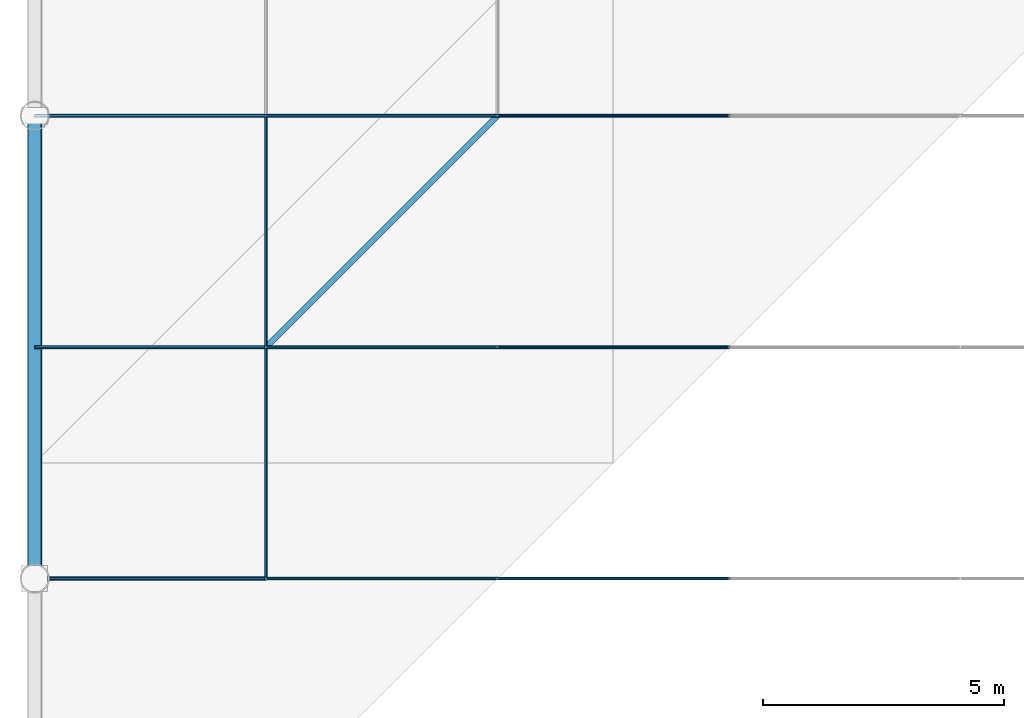
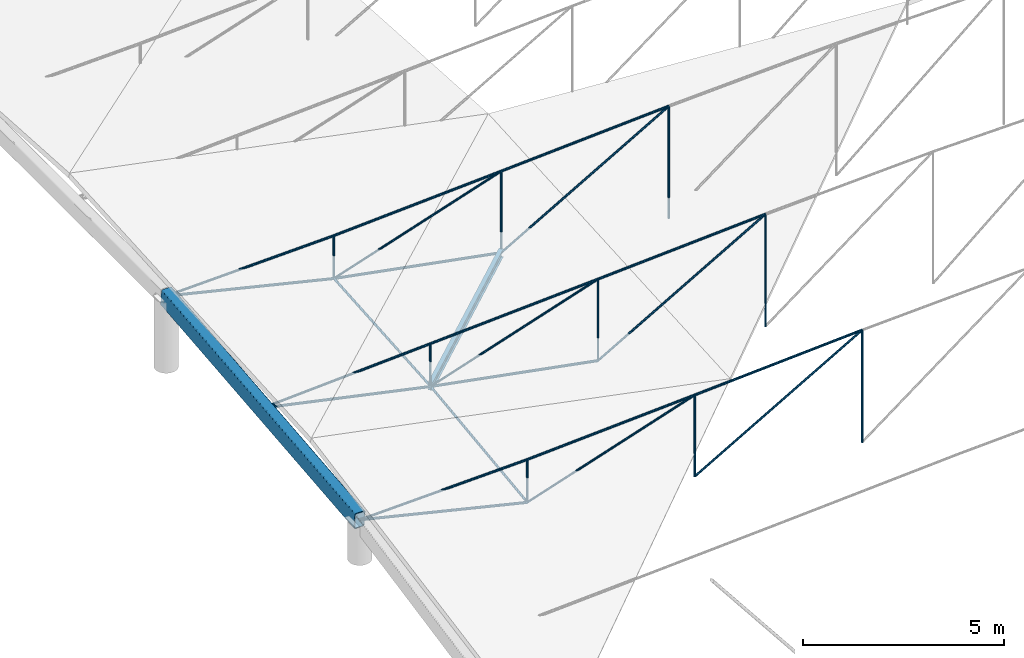
# One storey, part 15 of 50: 32 members, 1 beam.
"""IFC4 building model written with IfcOpenShell, lengths in metres."""

from ifc_helpers import new_model, si_unit, direction, frame, origin, origin_2d, place, context, subcontext, project, spatial, hollow_rectangle, circle, i_section, extrude, material, material_profile, profile_set, type_object, element, save


model = new_model("IFC4")

# Units and contexts
model_context = context("Model", 3, precision=1e-05, world=origin(), true_north=direction((0.0, 1.0)))
body_context = subcontext(model_context, "Body", "Model", "MODEL_VIEW")
ifc_project = project(units=[si_unit("LENGTHUNIT", "METRE"), si_unit("AREAUNIT", "SQUARE_METRE"), si_unit("VOLUMEUNIT", "CUBIC_METRE"), si_unit("PLANEANGLEUNIT", "RADIAN"), si_unit("MASSUNIT", "GRAM", prefix="KILO")], contexts=[model_context])

# Site, building, storey
site_placement = place(None, origin())
site = spatial("IfcSite", under=ifc_project, at=site_placement, CompositionType="ELEMENT")
building_placement = place(site_placement, origin())
building = spatial("IfcBuilding", under=site, at=building_placement, Name="Zevrakil Square Congress Hotel", CompositionType="ELEMENT")
storey_placement = place(building_placement, frame((0.0, 0.0, 21.5)))
storey = spatial("IfcBuildingStorey", under=building, at=storey_placement, Name="L06", CompositionType="ELEMENT", Elevation=21.5)

# Members
ifc_material_1 = material(Name="Steel S355", Category="steel")
ifc_material_profile_1 = material_profile(ifc_material_1, circle(Radius=0.030029296875, at=origin_2d()), Name="CABLE RD60")
ifc_profile_set_1 = profile_set([ifc_material_profile_1], Name="Steel S355")
member_type_1 = type_object("IfcMemberType", Name="MEM-CABLE-RD60", PredefinedType="USERDEFINED", material=ifc_profile_set_1)
member_1_placement = place(storey_placement, frame((122.39990234375, 74.39990234375, 0.01806640625), z_axis=(0.0, 0.0, 1.0), x_axis=(1.0, 0.0, 0.0)))
element("IfcMember", 1, at=member_1_placement, inside=storey, type_object=member_type_1, Name="Congress cable-truss vertical tie CBW-02-1", ObjectType="ROOF CABLE", PredefinedType="USERDEFINED", context=body_context, shape_type="SweptSolid", body=[
    extrude(circle(Radius=0.030029296875, at=origin_2d()), origin(), (0.0, 0.0, 1.0), 1.2978515625),
])
member_2_placement = place(storey_placement, frame((122.39990234375, 74.39990234375, 0.01806640625), z_axis=(0.95029004287, 0.0, 0.311366077828), x_axis=(0.0, 1.0, 0.0)))
element("IfcMember", 2, at=member_2_placement, inside=storey, type_object=member_type_1, Name="Congress cable-truss web diagonal CBD-02-2", ObjectType="ROOF CABLE", PredefinedType="USERDEFINED", context=body_context, shape_type="SweptSolid", body=[
    extrude(circle(Radius=0.030029296875, at=origin_2d()), origin(), (0.0, 0.0, 1.0), 5.051025390625),
])
member_3_placement = place(storey_placement, frame((127.199951171875, 74.39990234375, -0.8779296875), z_axis=(0.0, 0.0, 1.0), x_axis=(1.0, 0.0, 0.0)))
element("IfcMember", 3, at=member_3_placement, inside=storey, type_object=member_type_1, Name="Congress cable-truss vertical tie CBW-02-2", ObjectType="ROOF CABLE", PredefinedType="USERDEFINED", context=body_context, shape_type="SweptSolid", body=[
    extrude(circle(Radius=0.030029296875, at=origin_2d()), origin(), (0.0, 0.0, 1.0), 2.46875),
])
member_4_placement = place(storey_placement, frame((127.199951171875, 74.39990234375, -0.8779296875), z_axis=(0.867079197454, 0.0, 0.498170317605), x_axis=(0.0, 1.0, 0.0)))
element("IfcMember", 4, at=member_4_placement, inside=storey, type_object=member_type_1, Name="Congress cable-truss web diagonal CBD-02-3", ObjectType="ROOF CABLE", PredefinedType="USERDEFINED", context=body_context, shape_type="SweptSolid", body=[
    extrude(circle(Radius=0.030029296875, at=origin_2d()), origin(), (0.0, 0.0, 1.0), 5.535888671875),
])
member_5_placement = place(storey_placement, frame((132.0, 74.39990234375, -1.51806640625), z_axis=(0.0, 0.0, 1.0), x_axis=(1.0, 0.0, 0.0)))
element("IfcMember", 5, at=member_5_placement, inside=storey, type_object=member_type_1, Name="Congress cable-truss vertical tie CBW-02-3", ObjectType="ROOF CABLE", PredefinedType="USERDEFINED", context=body_context, shape_type="SweptSolid", body=[
    extrude(circle(Radius=0.030029296875, at=origin_2d()), origin(), (0.0, 0.0, 1.0), 3.39794921875),
])
member_6_placement = place(storey_placement, frame((122.39990234375, 79.199951171875, 0.617919921875), z_axis=(0.0, 0.0, 1.0), x_axis=(1.0, 0.0, 0.0)))
element("IfcMember", 6, at=member_6_placement, inside=storey, type_object=member_type_1, Name="Congress cable-truss vertical tie CBW-03-1", ObjectType="ROOF CABLE", PredefinedType="USERDEFINED", context=body_context, shape_type="SweptSolid", body=[
    extrude(circle(Radius=0.030029296875, at=origin_2d()), origin(), (0.0, 0.0, 1.0), 1.298095703125),
])
member_7_placement = place(storey_placement, frame((122.39990234375, 79.199951171875, 0.617919921875), z_axis=(0.95029004287, 0.0, 0.311366077828), x_axis=(0.0, 1.0, 0.0)))
element("IfcMember", 7, at=member_7_placement, inside=storey, type_object=member_type_1, Name="Congress cable-truss web diagonal CBD-03-2", ObjectType="ROOF CABLE", PredefinedType="USERDEFINED", context=body_context, shape_type="SweptSolid", body=[
    extrude(circle(Radius=0.030029296875, at=origin_2d()), origin(), (0.0, 0.0, 1.0), 5.051025390625),
])
member_8_placement = place(storey_placement, frame((127.199951171875, 79.199951171875, -0.278076171875), z_axis=(0.0, 0.0, 1.0), x_axis=(1.0, 0.0, 0.0)))
element("IfcMember", 8, at=member_8_placement, inside=storey, type_object=member_type_1, Name="Congress cable-truss vertical tie CBW-03-2", ObjectType="ROOF CABLE", PredefinedType="USERDEFINED", context=body_context, shape_type="SweptSolid", body=[
    extrude(circle(Radius=0.030029296875, at=origin_2d()), origin(), (0.0, 0.0, 1.0), 2.46875),
])
member_9_placement = place(storey_placement, frame((127.199951171875, 79.199951171875, -0.278076171875), z_axis=(0.867060147467, 0.0, 0.498203473167), x_axis=(0.0, 1.0, 0.0)))
element("IfcMember", 9, at=member_9_placement, inside=storey, type_object=member_type_1, Name="Congress cable-truss web diagonal CBD-03-3", ObjectType="ROOF CABLE", PredefinedType="USERDEFINED", context=body_context, shape_type="SweptSolid", body=[
    extrude(circle(Radius=0.030029296875, at=origin_2d()), origin(), (0.0, 0.0, 1.0), 5.535888671875),
])
member_10_placement = place(storey_placement, frame((132.0, 79.199951171875, -0.91796875), z_axis=(0.0, 0.0, 1.0), x_axis=(1.0, 0.0, 0.0)))
element("IfcMember", 10, at=member_10_placement, inside=storey, type_object=member_type_1, Name="Congress cable-truss vertical tie CBW-03-3", ObjectType="ROOF CABLE", PredefinedType="USERDEFINED", context=body_context, shape_type="SweptSolid", body=[
    extrude(circle(Radius=0.030029296875, at=origin_2d()), origin(), (0.0, 0.0, 1.0), 3.39794921875),
])
member_11_placement = place(storey_placement, frame((122.39990234375, 84.0, 0.97802734375), z_axis=(0.0, 0.0, 1.0), x_axis=(1.0, 0.0, 0.0)))
element("IfcMember", 11, at=member_11_placement, inside=storey, type_object=member_type_1, Name="Congress cable-truss vertical tie CBW-04-1", ObjectType="ROOF CABLE", PredefinedType="USERDEFINED", context=body_context, shape_type="SweptSolid", body=[
    extrude(circle(Radius=0.030029296875, at=origin_2d()), origin(), (0.0, 0.0, 1.0), 1.2978515625),
])
member_12_placement = place(storey_placement, frame((122.39990234375, 84.0, 0.97802734375), z_axis=(0.95029004287, 0.0, 0.311366077828), x_axis=(0.0, 1.0, 0.0)))
element("IfcMember", 12, at=member_12_placement, inside=storey, type_object=member_type_1, Name="Congress cable-truss web diagonal CBD-04-2", ObjectType="ROOF CABLE", PredefinedType="USERDEFINED", context=body_context, shape_type="SweptSolid", body=[
    extrude(circle(Radius=0.030029296875, at=origin_2d()), origin(), (0.0, 0.0, 1.0), 5.051025390625),
])
member_13_placement = place(storey_placement, frame((127.199951171875, 84.0, 0.08203125), z_axis=(0.0, 0.0, 1.0), x_axis=(1.0, 0.0, 0.0)))
element("IfcMember", 13, at=member_13_placement, inside=storey, type_object=member_type_1, Name="Congress cable-truss vertical tie CBW-04-2", ObjectType="ROOF CABLE", PredefinedType="USERDEFINED", context=body_context, shape_type="SweptSolid", body=[
    extrude(circle(Radius=0.030029296875, at=origin_2d()), origin(), (0.0, 0.0, 1.0), 2.46875),
])
member_14_placement = place(storey_placement, frame((127.199951171875, 84.0, 0.08203125), z_axis=(0.867079197454, 0.0, 0.498170317605), x_axis=(0.0, 1.0, 0.0)))
element("IfcMember", 14, at=member_14_placement, inside=storey, type_object=member_type_1, Name="Congress cable-truss web diagonal CBD-04-3", ObjectType="ROOF CABLE", PredefinedType="USERDEFINED", context=body_context, shape_type="SweptSolid", body=[
    extrude(circle(Radius=0.030029296875, at=origin_2d()), origin(), (0.0, 0.0, 1.0), 5.535888671875),
])
member_15_placement = place(storey_placement, frame((132.0, 84.0, -0.55810546875), z_axis=(0.0, 0.0, 1.0), x_axis=(1.0, 0.0, 0.0)))
element("IfcMember", 15, at=member_15_placement, inside=storey, type_object=member_type_1, Name="Congress cable-truss vertical tie CBW-04-3", ObjectType="ROOF CABLE", PredefinedType="USERDEFINED", context=body_context, shape_type="SweptSolid", body=[
    extrude(circle(Radius=0.030029296875, at=origin_2d()), origin(), (0.0, 0.0, 1.0), 3.39794921875),
])
ifc_material_2 = material(Name="Steel S355", Category="steel")
ifc_material_profile_2 = material_profile(ifc_material_2, circle(Radius=0.033935546875, at=origin_2d()), Name="CABLE RD68")
ifc_profile_set_2 = profile_set([ifc_material_profile_2], Name="Steel S355")
member_type_2 = type_object("IfcMemberType", Name="MEM-CABLE-RD68", PredefinedType="USERDEFINED", material=ifc_profile_set_2)
member_16_placement = place(storey_placement, frame((122.39990234375, 74.39990234375, 0.028076171875), z_axis=(0.0, 0.9922817585, 0.124003676346), x_axis=(-1.0, 0.0, 0.0)))
element("IfcMember", 16, at=member_16_placement, inside=storey, type_object=member_type_2, Name="Congress saddle stabilizing cable CBH-01 seg 3", ObjectType="ROOF CABLE", PredefinedType="USERDEFINED", context=body_context, shape_type="SweptSolid", body=[
    extrude(circle(Radius=0.033935546875, at=origin_2d()), origin(), (0.0, 0.0, 1.0), 4.83740234375),
])
member_17_placement = place(storey_placement, frame((122.39990234375, 79.199951171875, 0.6279296875), z_axis=(0.0, 0.997197702014, 0.074811383473), x_axis=(-1.0, 0.0, 0.0)))
element("IfcMember", 17, at=member_17_placement, inside=storey, type_object=member_type_2, Name="Congress saddle stabilizing cable CBH-01 seg 4", ObjectType="ROOF CABLE", PredefinedType="USERDEFINED", context=body_context, shape_type="SweptSolid", body=[
    extrude(circle(Radius=0.033935546875, at=origin_2d()), origin(), (0.0, 0.0, 1.0), 4.8134765625),
])
member_18_placement = place(storey_placement, frame((117.60009765625, 74.39990234375, 1.169921875), z_axis=(0.999537721052, 0.0, 0.030403029359), x_axis=(0.0, 1.0, 0.0)))
element("IfcMember", 18, at=member_18_placement, inside=storey, type_object=member_type_2, Name="Congress lenticular upper cable chord CBU-02 seg 1", ObjectType="ROOF CABLE", PredefinedType="USERDEFINED", context=body_context, shape_type="SweptSolid", body=[
    extrude(circle(Radius=0.033935546875, at=origin_2d()), origin(), (0.0, 0.0, 1.0), 4.802001953125),
])
member_19_placement = place(storey_placement, frame((122.39990234375, 74.39990234375, 1.31591796875), z_axis=(0.998364054477, 0.0, 0.057177047217), x_axis=(0.0, 1.0, 0.0)))
element("IfcMember", 19, at=member_19_placement, inside=storey, type_object=member_type_2, Name="Congress lenticular upper cable chord CBU-02 seg 2", ObjectType="ROOF CABLE", PredefinedType="USERDEFINED", context=body_context, shape_type="SweptSolid", body=[
    extrude(circle(Radius=0.033935546875, at=origin_2d()), origin(), (0.0, 0.0, 1.0), 4.807861328125),
])
member_20_placement = place(storey_placement, frame((127.199951171875, 74.39990234375, 1.5908203125), z_axis=(0.998191648201, 0.0, 0.060111841283), x_axis=(0.0, 1.0, 0.0)))
element("IfcMember", 20, at=member_20_placement, inside=storey, type_object=member_type_2, Name="Congress lenticular upper cable chord CBU-02 seg 3", ObjectType="ROOF CABLE", PredefinedType="USERDEFINED", context=body_context, shape_type="SweptSolid", body=[
    extrude(circle(Radius=0.033935546875, at=origin_2d()), origin(), (0.0, 0.0, 1.0), 4.808837890625),
])
member_21_placement = place(storey_placement, frame((117.60009765625, 79.199951171875, 1.64990234375), z_axis=(0.998466597537, 0.0, 0.055357507188), x_axis=(0.0, 1.0, 0.0)))
element("IfcMember", 21, at=member_21_placement, inside=storey, type_object=member_type_2, Name="Congress lenticular upper cable chord CBU-03 seg 1", ObjectType="ROOF CABLE", PredefinedType="USERDEFINED", context=body_context, shape_type="SweptSolid", body=[
    extrude(circle(Radius=0.033935546875, at=origin_2d()), origin(), (0.0, 0.0, 1.0), 4.80712890625),
])
member_22_placement = place(storey_placement, frame((122.39990234375, 79.199951171875, 1.916015625), z_axis=(0.99836695184, 0.0, 0.057126434099), x_axis=(0.0, 1.0, 0.0)))
element("IfcMember", 22, at=member_22_placement, inside=storey, type_object=member_type_2, Name="Congress lenticular upper cable chord CBU-03 seg 2", ObjectType="ROOF CABLE", PredefinedType="USERDEFINED", context=body_context, shape_type="SweptSolid", body=[
    extrude(circle(Radius=0.033935546875, at=origin_2d()), origin(), (0.0, 0.0, 1.0), 4.807861328125),
])
member_23_placement = place(storey_placement, frame((127.199951171875, 79.199951171875, 2.190673828125), z_axis=(0.998188600561, 0.0, 0.060162427733), x_axis=(0.0, 1.0, 0.0)))
element("IfcMember", 23, at=member_23_placement, inside=storey, type_object=member_type_2, Name="Congress lenticular upper cable chord CBU-03 seg 3", ObjectType="ROOF CABLE", PredefinedType="USERDEFINED", context=body_context, shape_type="SweptSolid", body=[
    extrude(circle(Radius=0.033935546875, at=origin_2d()), origin(), (0.0, 0.0, 1.0), 4.808837890625),
])
member_24_placement = place(storey_placement, frame((117.60009765625, 84.0, 2.1298828125), z_axis=(0.999537721052, 0.0, 0.030403029359), x_axis=(0.0, 1.0, 0.0)))
element("IfcMember", 24, at=member_24_placement, inside=storey, type_object=member_type_2, Name="Congress lenticular upper cable chord CBU-04 seg 1", ObjectType="ROOF CABLE", PredefinedType="USERDEFINED", context=body_context, shape_type="SweptSolid", body=[
    extrude(circle(Radius=0.033935546875, at=origin_2d()), origin(), (0.0, 0.0, 1.0), 4.802001953125),
])
member_25_placement = place(storey_placement, frame((122.39990234375, 84.0, 2.27587890625), z_axis=(0.998364054477, 0.0, 0.057177047217), x_axis=(0.0, 1.0, 0.0)))
element("IfcMember", 25, at=member_25_placement, inside=storey, type_object=member_type_2, Name="Congress lenticular upper cable chord CBU-04 seg 2", ObjectType="ROOF CABLE", PredefinedType="USERDEFINED", context=body_context, shape_type="SweptSolid", body=[
    extrude(circle(Radius=0.033935546875, at=origin_2d()), origin(), (0.0, 0.0, 1.0), 4.807861328125),
])
member_26_placement = place(storey_placement, frame((127.199951171875, 84.0, 2.55078125), z_axis=(0.998191648201, 0.0, 0.060111841283), x_axis=(0.0, 1.0, 0.0)))
element("IfcMember", 26, at=member_26_placement, inside=storey, type_object=member_type_2, Name="Congress lenticular upper cable chord CBU-04 seg 3", ObjectType="ROOF CABLE", PredefinedType="USERDEFINED", context=body_context, shape_type="SweptSolid", body=[
    extrude(circle(Radius=0.033935546875, at=origin_2d()), origin(), (0.0, 0.0, 1.0), 4.808837890625),
])
ifc_material_3 = material(Name="Steel S355", Category="steel")
ifc_material_profile_3 = material_profile(ifc_material_3, circle(Radius=0.0380859375, at=origin_2d()), Name="CABLE RD76")
ifc_profile_set_3 = profile_set([ifc_material_profile_3], Name="Steel S355")
member_type_3 = type_object("IfcMemberType", Name="MEM-CABLE-RD76", PredefinedType="USERDEFINED", material=ifc_profile_set_3)
member_27_placement = place(storey_placement, frame((117.60009765625, 74.39990234375, 1.169921875), z_axis=(0.9723917914, 0.0, -0.233354245769), x_axis=(0.0, 1.0, 0.0)))
element("IfcMember", 27, at=member_27_placement, inside=storey, type_object=member_type_3, Name="Congress saddle carrying cable CBS-02 seg 1", ObjectType="ROOF CABLE", PredefinedType="USERDEFINED", context=body_context, shape_type="SweptSolid", body=[
    extrude(circle(Radius=0.0380859375, at=origin_2d()), origin(), (0.0, 0.0, 1.0), 4.93603515625),
])
member_28_placement = place(storey_placement, frame((117.60009765625, 79.199951171875, 1.64990234375), z_axis=(0.977658092129, 0.0, -0.210201462636), x_axis=(0.0, 1.0, 0.0)))
element("IfcMember", 28, at=member_28_placement, inside=storey, type_object=member_type_3, Name="Congress saddle carrying cable CBS-03 seg 1", ObjectType="ROOF CABLE", PredefinedType="USERDEFINED", context=body_context, shape_type="SweptSolid", body=[
    extrude(circle(Radius=0.0380859375, at=origin_2d()), origin(), (0.0, 0.0, 1.0), 4.909423828125),
])
member_29_placement = place(storey_placement, frame((122.39990234375, 79.199951171875, 0.617919921875), z_axis=(0.983020729765, 0.0, -0.183494536302), x_axis=(0.0, 1.0, 0.0)))
element("IfcMember", 29, at=member_29_placement, inside=storey, type_object=member_type_3, Name="Congress saddle carrying cable CBS-03 seg 2", ObjectType="ROOF CABLE", PredefinedType="USERDEFINED", context=body_context, shape_type="SweptSolid", body=[
    extrude(circle(Radius=0.0380859375, at=origin_2d()), origin(), (0.0, 0.0, 1.0), 4.883056640625),
])
member_30_placement = place(storey_placement, frame((117.60009765625, 84.0, 2.1298828125), z_axis=(0.9723917914, 0.0, -0.233354245769), x_axis=(0.0, 1.0, 0.0)))
element("IfcMember", 30, at=member_30_placement, inside=storey, type_object=member_type_3, Name="Congress saddle carrying cable CBS-04 seg 1", ObjectType="ROOF CABLE", PredefinedType="USERDEFINED", context=body_context, shape_type="SweptSolid", body=[
    extrude(circle(Radius=0.0380859375, at=origin_2d()), origin(), (0.0, 0.0, 1.0), 4.93603515625),
])
member_31_placement = place(storey_placement, frame((122.39990234375, 84.0, 0.97802734375), z_axis=(0.983020729765, 0.0, -0.183494536302), x_axis=(0.0, 1.0, 0.0)))
element("IfcMember", 31, at=member_31_placement, inside=storey, type_object=member_type_3, Name="Congress saddle carrying cable CBS-04 seg 2", ObjectType="ROOF CABLE", PredefinedType="USERDEFINED", context=body_context, shape_type="SweptSolid", body=[
    extrude(circle(Radius=0.0380859375, at=origin_2d()), origin(), (0.0, 0.0, 1.0), 4.883056640625),
])
ifc_material_4 = material(Name="Steel S355", Category="steel")
ifc_material_profile_4 = material_profile(ifc_material_4, i_section(OverallWidth=0.1201171875, OverallDepth=0.239990234375, WebThickness=0.006103515625, FlangeThickness=0.009765625, FilletRadius=0.014892578125, at=origin_2d()), Name="IPE 240")
ifc_profile_set_4 = profile_set([ifc_material_profile_4], Name="Steel S355")
member_type_4 = type_object("IfcMemberType", Name="MEM-PURLIN-IPE240", PredefinedType="PURLIN", material=ifc_profile_set_4)
member_32_placement = place(storey_placement, frame((122.39990234375, 79.199951171875, 0.6279296875), z_axis=(0.704913679674, 0.704913679674, -0.078698211021), x_axis=(-0.707106781187, 0.707106781187, 0.0)))
element("IfcMember", 32, at=member_32_placement, inside=storey, type_object=member_type_4, Name="Congress roof secondary purlin CPA-01-03", PredefinedType="PURLIN", context=body_context, shape_type="SweptSolid", body=[
    extrude(i_section(OverallWidth=0.1201171875, OverallDepth=0.239990234375, WebThickness=0.006103515625, FlangeThickness=0.009765625, FilletRadius=0.014892578125, at=origin_2d()), origin(), (0.0, 0.0, 1.0), 6.809326171875),
])

# Beam
ifc_material_5 = material(Name="Steel S355", Category="steel")
ifc_material_profile_5 = material_profile(ifc_material_5, hollow_rectangle(XDim=0.300048828125, YDim=0.5, WallThickness=0.02001953125, InnerFilletRadius=0.02001953125, OuterFilletRadius=0.0400390625, at=origin_2d()), Name="RHS 500x300x20")
ifc_profile_set_5 = profile_set([ifc_material_profile_5], Name="Steel S355")
beam_type = type_object("IfcBeamType", Name="RNG-RHS500", PredefinedType="USERDEFINED", material=ifc_profile_set_5)
beam_placement = place(storey_placement, frame((117.60009765625, 84.0, 2.1298828125), z_axis=(0.0, -0.995037691284, -0.099498708156), x_axis=(1.0, 0.0, 0.0)))
element("IfcBeam", 33, at=beam_placement, inside=storey, type_object=beam_type, Name="Congress Hall compression ring beam RB-19", ObjectType="RING BEAM", PredefinedType="USERDEFINED", context=body_context, shape_type="SweptSolid", body=[
    extrude(hollow_rectangle(XDim=0.300048828125, YDim=0.5, WallThickness=0.02001953125, InnerFilletRadius=0.02001953125, OuterFilletRadius=0.0400390625, at=origin_2d()), origin(), (0.0, 0.0, 1.0), 9.64794921875),
])

save(model, "model.ifc")
